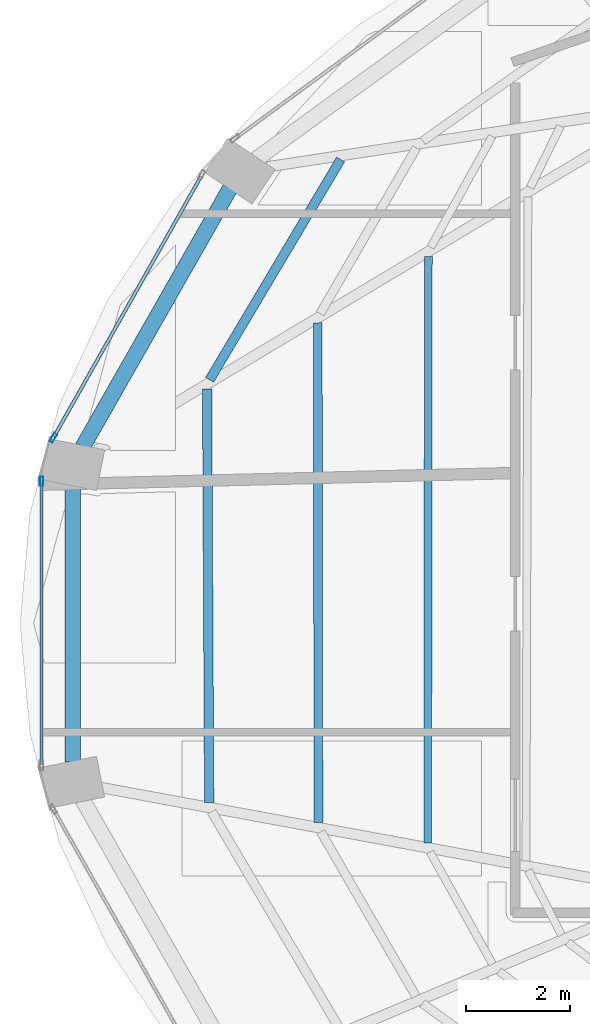
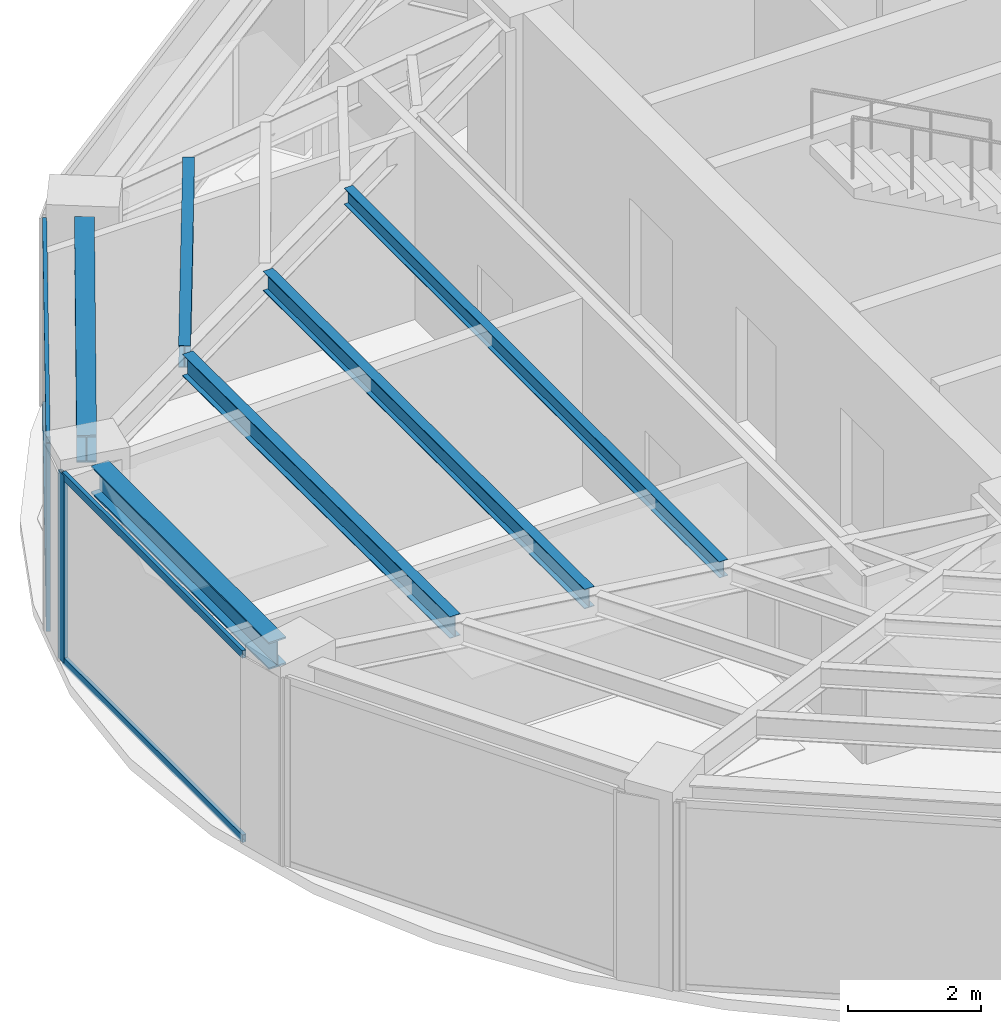
# One storey, part 8 of 23: 6 beams, 6 members, 2 elements without a shape of their own.
"""IFC4 building model written with IfcOpenShell, lengths in metres."""

import ifcopenshell
import ifcopenshell.guid

model = None  # the IFC model being written
_history = None  # IfcOwnerHistory: only IFC2X3 demands one
_inside = {}  # id of a spatial element -> (the spatial element, [elements in it])
_under = {}  # id of a project, library or spatial element -> (it, [spatial elements below it])
_declared = {}  # id of a project -> (the project, [libraries it declares])
_typed = {}  # id of a type object -> (the type object, [elements of that type])
_made_of = {}  # id of a material, layer set ... -> (it, [elements and type objects made of it])


def new_model(schema):
    """Start an empty IFC model of exactly this schema.

    Asked for "IFC4X3", IfcOpenShell would pick the latest addendum, in which some entities
    have other attributes; the version numbers below select the first issue.
    IFC2X3 requires an IfcOwnerHistory on every rooted entity: one is made here for all.
    """
    global model, _history
    if schema == "IFC4X3":
        model = ifcopenshell.file(schema_version=(4, 3, 0, 0))
    else:
        model = ifcopenshell.file(schema=schema)
    _inside.clear()
    _under.clear()
    _declared.clear()
    _typed.clear()
    _made_of.clear()
    _history = None
    if model.schema == "IFC2X3":
        org = make("IfcOrganization", Name="unknown")
        user = make(
            "IfcPersonAndOrganization",
            ThePerson=make("IfcPerson", FamilyName="unknown"),
            TheOrganization=org,
        )
        app = make(
            "IfcApplication",
            ApplicationDeveloper=org,
            Version="unknown",
            ApplicationFullName="unknown",
            ApplicationIdentifier="unknown",
        )
        _history = make(
            "IfcOwnerHistory",
            OwningUser=user,
            OwningApplication=app,
            ChangeAction="ADDED",
            CreationDate=0,
        )
    return model


def make(cls, **values):
    """One entity of the class cls with the attributes given. An attribute that is None is left unset."""
    return model.create_entity(
        cls, **{name: value for name, value in values.items() if value is not None}
    )


def rooted(cls, **values):
    """An entity with a GlobalId (a new one), such as an element, a storey or a relation."""
    return make(cls, GlobalId=ifcopenshell.guid.new(), OwnerHistory=_history, **values)


def si_unit(unit_type, name, prefix=None):
    """IfcSIUnit, for example si_unit("LENGTHUNIT", "METRE", prefix="MILLI")."""
    return make("IfcSIUnit", UnitType=unit_type, Prefix=prefix, Name=name)


def assignment(units):
    """IfcUnitAssignment: the units of a project."""
    return None if units is None else make("IfcUnitAssignment", Units=units)


def point(xyz):
    """IfcCartesianPoint."""
    return None if xyz is None else make("IfcCartesianPoint", Coordinates=xyz)


def direction(xyz):
    """IfcDirection."""
    return None if xyz is None else make("IfcDirection", DirectionRatios=xyz)


def frame(location, z_axis=None, x_axis=None):
    """IfcAxis2Placement3D, a coordinate frame: its origin and axes. An axis left out is left unset."""
    return make(
        "IfcAxis2Placement3D",
        Location=point(location),
        Axis=direction(z_axis),
        RefDirection=direction(x_axis),
    )


def frame_2d(location, x_axis=None):
    """IfcAxis2Placement2D, a coordinate frame in the plane: its origin and x axis."""
    return make(
        "IfcAxis2Placement2D", Location=point(location), RefDirection=direction(x_axis)
    )


def origin():
    """The frame at (0, 0, 0) with its axes left unset."""
    return frame((0.0, 0.0, 0.0))


def origin_2d():
    """The frame at (0, 0) in the plane with its x axis left unset."""
    return frame_2d((0.0, 0.0))


def place(relative_to, where):
    """IfcLocalPlacement: puts the frame where relative to a parent placement (None: the world)."""
    return make(
        "IfcLocalPlacement", PlacementRelTo=relative_to, RelativePlacement=where
    )


def context(
    kind, dimensions, precision=None, world=None, true_north=None, identifier=None
):
    """IfcGeometricRepresentationContext, for example the 3D "Model" context."""
    return make(
        "IfcGeometricRepresentationContext",
        ContextIdentifier=identifier,
        ContextType=kind,
        CoordinateSpaceDimension=dimensions,
        Precision=precision,
        WorldCoordinateSystem=world,
        TrueNorth=true_north,
    )


def subcontext(parent, identifier, kind, view, scale=None):
    """IfcGeometricRepresentationSubContext, for example "Body" below "Model"."""
    return make(
        "IfcGeometricRepresentationSubContext",
        ContextIdentifier=identifier,
        ContextType=kind,
        ParentContext=parent,
        TargetScale=scale,
        TargetView=view,
    )


def project(units=None, contexts=None):
    """IfcProject with its units and contexts."""
    return rooted(
        "IfcProject",
        Name="project",
        RepresentationContexts=contexts,
        UnitsInContext=assignment(units),
    )


def spatial(cls, under=None, at=None, **own):
    """A site, building, storey or space (cls), placed at a placement, below another one or the project."""
    s = rooted(cls, ObjectPlacement=at, **own)
    if under is not None:
        _under.setdefault(under.id(), (under, []))[1].append(s)
    return s


def profile(cls, at=None, kind="AREA", **sizes):
    """A parametric profile (cls). Its sizes go by their IFC names, for example OverallWidth=200.0."""
    return make(cls, ProfileType=kind, Position=at, **sizes)


def hollow_rectangle(**sizes):
    """IfcRectangleHollowProfileDef."""
    return profile("IfcRectangleHollowProfileDef", **sizes)


def i_section(**sizes):
    """IfcIShapeProfileDef."""
    return profile("IfcIShapeProfileDef", **sizes)


def extrude(swept, where, along, depth):
    """IfcExtrudedAreaSolid: the profile swept, set in the frame where, extruded along a direction by depth."""
    return make(
        "IfcExtrudedAreaSolid",
        SweptArea=swept,
        Position=where,
        ExtrudedDirection=direction(along),
        Depth=depth,
    )


def shape(context_of_items, identifier, shape_type, items):
    """IfcShapeRepresentation: the items that make up one representation, for example the "Body"."""
    return make(
        "IfcShapeRepresentation",
        ContextOfItems=context_of_items,
        RepresentationIdentifier=identifier,
        RepresentationType=shape_type,
        Items=items,
    )


def material(Name=None, Category=None):
    """IfcMaterial."""
    return make("IfcMaterial", Name=Name, Category=Category)


def layer(
    of_material, thickness, ventilated=None, Name=None, Category=None, Priority=None
):
    """IfcMaterialLayer: one layer of a wall or slab, of a material (None: an air gap)."""
    return make(
        "IfcMaterialLayer",
        Material=of_material,
        LayerThickness=thickness,
        IsVentilated=ventilated,
        Name=Name,
        Category=Category,
        Priority=Priority,
    )


def layer_set(layers, Name=None):
    """IfcMaterialLayerSet."""
    return make("IfcMaterialLayerSet", MaterialLayers=layers, LayerSetName=Name)


def material_profile(
    of_material, cross_section, Name=None, Category=None, Priority=None
):
    """IfcMaterialProfile: a cross section and its material."""
    return make(
        "IfcMaterialProfile",
        Name=Name,
        Material=of_material,
        Profile=cross_section,
        Priority=Priority,
        Category=Category,
    )


def profile_set(profiles, Name=None, composite=None):
    """IfcMaterialProfileSet."""
    return make(
        "IfcMaterialProfileSet",
        Name=Name,
        MaterialProfiles=profiles,
        CompositeProfile=composite,
    )


def made_of(thing, what):
    """Note that an element or type object is made of a material, layer set ...; save() writes the relation."""
    if what is not None:
        _made_of.setdefault(what.id(), (what, []))[1].append(thing)
    return thing


def type_object(cls, material=None, **own):
    """A type object (cls), such as IfcWallType, which elements share."""
    return made_of(rooted(cls, **own), material)


def element(
    cls,
    number,
    at=None,
    inside=None,
    cuts=None,
    type_object=None,
    material=None,
    context=None,
    identifier="Body",
    shape_type=None,
    held_by="IfcProductDefinitionShape",
    body=None,
    shapes=None,
    **own,
):
    """One element of the class cls, such as IfcWall. Its Tag is "e" and its number.

    at: its placement. inside: the storey or other place that contains it. cuts: it is an
    opening in that element (IfcRelVoidsElement). A single representation is given by context,
    identifier, shape_type and body (its items); several are given by shapes. held_by: the class
    of the entity that holds the representations. save() writes the other relations.
    """
    e = rooted(cls, Tag="e%d" % number, ObjectPlacement=at, **own)
    if body is not None:
        shapes = [shape(context, identifier, shape_type, body)]
    if shapes is not None:
        e.Representation = make(held_by, Representations=shapes)
    if inside is not None:
        _inside.setdefault(inside.id(), (inside, []))[1].append(e)
    if cuts is not None:
        rooted(
            "IfcRelVoidsElement", RelatingBuildingElement=cuts, RelatedOpeningElement=e
        )
    if type_object is not None:
        _typed.setdefault(type_object.id(), (type_object, []))[1].append(e)
    return made_of(e, material)


def aggregate(whole, parts):
    """IfcRelAggregates: a whole, such as a stair, and the parts it consists of."""
    return rooted("IfcRelAggregates", RelatingObject=whole, RelatedObjects=parts)


def save(model, path):
    """Write the relations noted so far, then the file.

    IfcRelAggregates (storeys below a building ...), IfcRelContainedInSpatialStructure (elements
    in a storey), IfcRelDefinesByType, IfcRelAssociatesMaterial and IfcRelDeclares: one each for
    every whole, place, type object, material and project.
    """
    for whole, parts in _under.values():
        aggregate(whole, parts)
    for where, things in _inside.values():
        rooted(
            "IfcRelContainedInSpatialStructure",
            RelatedElements=things,
            RelatingStructure=where,
        )
    for kind, things in _typed.values():
        rooted("IfcRelDefinesByType", RelatedObjects=things, RelatingType=kind)
    for what, things in _made_of.values():
        rooted("IfcRelAssociatesMaterial", RelatedObjects=things, RelatingMaterial=what)
    for by, libraries in _declared.values():
        rooted("IfcRelDeclares", RelatingContext=by, RelatedDefinitions=libraries)
    model.write(path)


model = new_model("IFC4")

# Units and contexts
model_context = context("Model", 3, precision=1e-05, world=origin(), true_north=direction((0.0, 1.0)))
body_context = subcontext(model_context, "Body", "Model", "MODEL_VIEW")
ifc_project = project(units=[si_unit("LENGTHUNIT", "METRE"), si_unit("AREAUNIT", "SQUARE_METRE"), si_unit("VOLUMEUNIT", "CUBIC_METRE"), si_unit("PLANEANGLEUNIT", "RADIAN"), si_unit("MASSUNIT", "GRAM", prefix="KILO")], contexts=[model_context])

# Site, building, storey
site_placement = place(None, origin())
site = spatial("IfcSite", under=ifc_project, at=site_placement, CompositionType="ELEMENT")
building_placement = place(site_placement, origin())
building = spatial("IfcBuilding", under=site, at=building_placement, Name="Lazwardi Medical Tower", CompositionType="ELEMENT")
storey_placement = place(building_placement, frame((0.0, 0.0, 231.31201171875)))
storey = spatial("IfcBuildingStorey", under=building, at=storey_placement, Name="L60", CompositionType="ELEMENT", Elevation=231.31201171875)

# Beams
ifc_material_1 = material(Name="Steel S355", Category="steel")
ifc_material_profile_1 = material_profile(ifc_material_1, i_section(OverallWidth=0.300048828125, OverallDepth=0.5, WebThickness=0.014404296875, FlangeThickness=0.028076171875, at=origin_2d()), Name="HEB 500")
ifc_profile_set_1 = profile_set([ifc_material_profile_1], Name="Steel S355")
beam_type_1 = type_object("IfcBeamType", Name="BM-RB-Z4", PredefinedType="BEAM", material=ifc_profile_set_1)
beam_1_placement = place(storey_placement, frame((17.84716796875, 33.983642578125, 3.197998046875), z_axis=(-0.495125273299, -0.868821594886, 0.0), x_axis=(0.868821594886, -0.495125273299, 0.0)))
element("IfcBeam", 1, at=beam_1_placement, inside=storey, type_object=beam_type_1, Name="Ring beam RB-05 B11 L60", PredefinedType="BEAM", context=body_context, shape_type="SweptSolid", body=[
    extrude(i_section(OverallWidth=0.300048828125, OverallDepth=0.5, WebThickness=0.014404296875, FlangeThickness=0.028076171875, at=origin_2d()), origin(), (0.0, 0.0, 1.0), 5.734130859375),
])
beam_2_placement = place(storey_placement, frame((14.81494140625, 28.27294921875, 3.197998046875), z_axis=(0.0, -1.0, 0.0), x_axis=(1.0, 0.0, 0.0)))
element("IfcBeam", 2, at=beam_2_placement, inside=storey, type_object=beam_type_1, Name="Ring beam RB-05 B12 L60", PredefinedType="BEAM", context=body_context, shape_type="SweptSolid", body=[
    extrude(i_section(OverallWidth=0.300048828125, OverallDepth=0.5, WebThickness=0.014404296875, FlangeThickness=0.028076171875, at=origin_2d()), origin(), (0.0, 0.0, 1.0), 5.345947265625),
])
ifc_material_profile_2 = material_profile(ifc_material_1, i_section(OverallWidth=0.179931640625, OverallDepth=0.39990234375, WebThickness=0.008544921875, FlangeThickness=0.013427734375, at=origin_2d()), Name="IPE 400")
ifc_profile_set_2 = profile_set([ifc_material_profile_2], Name="Steel S355")
beam_type_2 = type_object("IfcBeamType", Name="BM-SJ-01", PredefinedType="JOIST", material=ifc_profile_set_2)
beam_3_placement = place(storey_placement, frame((19.98095703125, 34.544921875, 3.248046875), z_axis=(-0.510967866251, -0.859599813668, 0.0), x_axis=(0.859599813668, -0.510967866251, 0.0)))
element("IfcBeam", 3, at=beam_3_placement, inside=storey, type_object=beam_type_2, Name="Secondary joist SJ-01 R1 B11 L60", PredefinedType="JOIST", context=body_context, shape_type="SweptSolid", body=[
    extrude(i_section(OverallWidth=0.179931640625, OverallDepth=0.39990234375, WebThickness=0.008544921875, FlangeThickness=0.013427734375, at=origin_2d()), origin(), (0.0, 0.0, 1.0), 4.94189453125),
])
beam_4_placement = place(storey_placement, frame((17.407958984375, 30.120361328125, 3.248046875), z_axis=(0.004929366644, -0.999987850598, 0.0), x_axis=(0.999987850598, 0.004929366644, 0.0)))
element("IfcBeam", 4, at=beam_4_placement, inside=storey, type_object=beam_type_2, Name="Secondary joist SJ-01 R1 B12 L60", PredefinedType="JOIST", context=body_context, shape_type="SweptSolid", body=[
    extrude(i_section(OverallWidth=0.179931640625, OverallDepth=0.39990234375, WebThickness=0.008544921875, FlangeThickness=0.013427734375, at=origin_2d()), origin(), (0.0, 0.0, 1.0), 7.973876953125),
])
ifc_material_profile_3 = material_profile(ifc_material_1, i_section(OverallWidth=0.169921875, OverallDepth=0.360107421875, WebThickness=0.008056640625, FlangeThickness=0.0126953125, at=origin_2d()), Name="IPE 360")
ifc_profile_set_3 = profile_set([ifc_material_profile_3], Name="Steel S355")
beam_type_3 = type_object("IfcBeamType", Name="BM-SJ-02", PredefinedType="JOIST", material=ifc_profile_set_3)
beam_5_placement = place(storey_placement, frame((19.541015625, 31.397705078125, 3.26806640625), z_axis=(0.001367606673, -0.999999064826, 0.0), x_axis=(0.999999064826, 0.001367606673, 0.0)))
element("IfcBeam", 5, at=beam_5_placement, inside=storey, type_object=beam_type_3, Name="Secondary joist SJ-02 R2 B12 L60", PredefinedType="JOIST", context=body_context, shape_type="SweptSolid", body=[
    extrude(i_section(OverallWidth=0.169921875, OverallDepth=0.360107421875, WebThickness=0.008056640625, FlangeThickness=0.0126953125, at=origin_2d()), origin(), (0.0, 0.0, 1.0), 9.639892578125),
])
ifc_material_profile_4 = material_profile(ifc_material_1, i_section(OverallWidth=0.14990234375, OverallDepth=0.300048828125, WebThickness=0.007080078125, FlangeThickness=0.0107421875, at=origin_2d()), Name="IPE 300")
ifc_profile_set_4 = profile_set([ifc_material_profile_4], Name="Steel S355")
beam_type_4 = type_object("IfcBeamType", Name="BM-SJ-03", PredefinedType="JOIST", material=ifc_profile_set_4)
beam_6_placement = place(storey_placement, frame((21.674072265625, 32.67529296875, 3.298095703125), z_axis=(-0.001166079235, -0.999999320129, 0.0), x_axis=(0.999999320129, -0.001166079235, 0.0)))
element("IfcBeam", 6, at=beam_6_placement, inside=storey, type_object=beam_type_4, Name="Secondary joist SJ-03 R3 B12 L60", PredefinedType="JOIST", context=body_context, shape_type="SweptSolid", body=[
    extrude(i_section(OverallWidth=0.14990234375, OverallDepth=0.300048828125, WebThickness=0.007080078125, FlangeThickness=0.0107421875, at=origin_2d()), origin(), (0.0, 0.0, 1.0), 11.305908203125),
])

# Curtain wall, member
ifc_material_2 = material(Name="Anodised bronze aluminium and solar control glazing", Category="aluminium")
ifc_layer = layer(ifc_material_2, 0.18994140625)
ifc_layer_set = layer_set([ifc_layer], Name="Anodised bronze aluminium and solar control glazing")
curtain_wall_type = type_object("IfcCurtainWallType", Name="CW-SYS-04", PredefinedType="NOTDEFINED", material=ifc_layer_set)
curtain_wall_1_placement = place(storey_placement, origin())
curtain_wall_1 = element("IfcCurtainWall", 7, at=curtain_wall_1_placement, inside=storey, type_object=curtain_wall_type, Name="L60 Unitised bronze curtain wall CW-04", PredefinedType="NOTDEFINED")
ifc_material_3 = material(Name="Anodised bronze aluminium", Category="aluminium")
ifc_material_profile_5 = material_profile(ifc_material_3, hollow_rectangle(XDim=0.06494140625, YDim=0.179931640625, WallThickness=0.00390625, at=origin_2d()), Name="ALU-MULLION 180x65x4")
ifc_profile_set_5 = profile_set([ifc_material_profile_5], Name="Anodised bronze aluminium")
member_type_1 = type_object("IfcMemberType", Name="CW-MUL-03", PredefinedType="MULLION", material=ifc_profile_set_5)
member_1_placement = place(storey_placement, frame((14.442626953125, 29.17822265625, 0.0), z_axis=(0.0, 0.0, 1.0), x_axis=(0.870651436011, -0.491900474661, 0.0)))
member_1 = element("IfcMember", 8, at=member_1_placement, type_object=member_type_1, Name="CW-04 mullion 2", PredefinedType="MULLION", context=body_context, shape_type="SweptSolid", body=[
    extrude(hollow_rectangle(XDim=0.06494140625, YDim=0.179931640625, WallThickness=0.00390625, at=origin_2d()), origin(), (0.0, 0.0, 1.0), 3.447998046875),
])

curtain_wall_2_placement = place(storey_placement, origin())
curtain_wall_2 = element("IfcCurtainWall", 9, at=curtain_wall_2_placement, inside=storey, type_object=curtain_wall_type, Name="L60 Unitised bronze curtain wall CW-04", PredefinedType="NOTDEFINED")
member_2_placement = place(storey_placement, frame((14.2158203125, 28.340576171875, 0.0), z_axis=(0.0, 0.0, 1.0), x_axis=(1.0, 0.0, 0.0)))
member_2 = element("IfcMember", 10, at=member_2_placement, type_object=member_type_1, Name="CW-04 mullion 1", PredefinedType="MULLION", context=body_context, shape_type="SweptSolid", body=[
    extrude(hollow_rectangle(XDim=0.06494140625, YDim=0.179931640625, WallThickness=0.00390625, at=origin_2d()), origin(), (0.0, 0.0, 1.0), 3.447998046875),
])

# Member
ifc_material_profile_6 = material_profile(ifc_material_3, hollow_rectangle(XDim=0.06494140625, YDim=0.139892578125, WallThickness=0.00341796875, at=origin_2d()), Name="ALU-TRANSOM 140x65x3.5")
ifc_profile_set_6 = profile_set([ifc_material_profile_6], Name="Anodised bronze aluminium")
member_type_2 = type_object("IfcMemberType", Name="CW-TRN-03", PredefinedType="USERDEFINED", material=ifc_profile_set_6)
member_3_placement = place(storey_placement, frame((17.28955078125, 34.21728515625, 0.032470703125), z_axis=(-0.491879719484, -0.87066316194, 0.0), x_axis=(0.87066316194, -0.491879719484, 0.0)))
member_3 = element("IfcMember", 11, at=member_3_placement, type_object=member_type_2, Name="CW-04 transom 1.1", ObjectType="TRANSOM", PredefinedType="USERDEFINED", context=body_context, shape_type="SweptSolid", body=[
    extrude(hollow_rectangle(XDim=0.06494140625, YDim=0.139892578125, WallThickness=0.00341796875, at=origin_2d()), origin(), (0.0, 0.0, 1.0), 5.755126953125),
])

member_4_placement = place(storey_placement, frame((17.28955078125, 34.21728515625, 3.41552734375), z_axis=(-0.491879719484, -0.87066316194, 0.0), x_axis=(0.87066316194, -0.491879719484, 0.0)))
member_4 = element("IfcMember", 12, at=member_4_placement, type_object=member_type_2, Name="CW-04 transom 1.2", ObjectType="TRANSOM", PredefinedType="USERDEFINED", context=body_context, shape_type="SweptSolid", body=[
    extrude(hollow_rectangle(XDim=0.06494140625, YDim=0.139892578125, WallThickness=0.00341796875, at=origin_2d()), origin(), (0.0, 0.0, 1.0), 5.755126953125),
])

aggregate(curtain_wall_1, [member_1, member_3, member_4])

member_5_placement = place(storey_placement, frame((14.2158203125, 28.30810546875, 0.032470703125), z_axis=(0.0, -1.0, 0.0), x_axis=(1.0, 0.0, 0.0)))
member_5 = element("IfcMember", 13, at=member_5_placement, type_object=member_type_2, Name="CW-04 transom 1.1", ObjectType="TRANSOM", PredefinedType="USERDEFINED", context=body_context, shape_type="SweptSolid", body=[
    extrude(hollow_rectangle(XDim=0.06494140625, YDim=0.139892578125, WallThickness=0.00341796875, at=origin_2d()), origin(), (0.0, 0.0, 1.0), 5.416015625),
])

member_6_placement = place(storey_placement, frame((14.2158203125, 28.30810546875, 3.41552734375), z_axis=(0.0, -1.0, 0.0), x_axis=(1.0, 0.0, 0.0)))
member_6 = element("IfcMember", 14, at=member_6_placement, type_object=member_type_2, Name="CW-04 transom 1.2", ObjectType="TRANSOM", PredefinedType="USERDEFINED", context=body_context, shape_type="SweptSolid", body=[
    extrude(hollow_rectangle(XDim=0.06494140625, YDim=0.139892578125, WallThickness=0.00341796875, at=origin_2d()), origin(), (0.0, 0.0, 1.0), 5.416015625),
])

aggregate(curtain_wall_2, [member_2, member_5, member_6])

save(model, "model.ifc")
